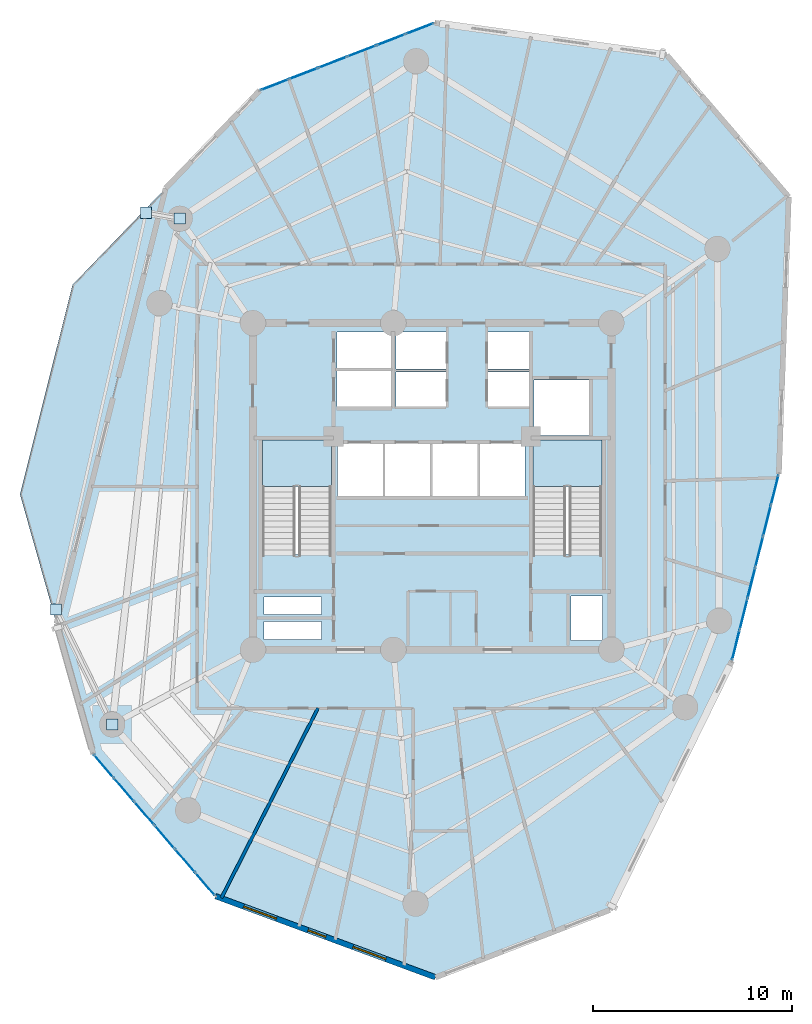
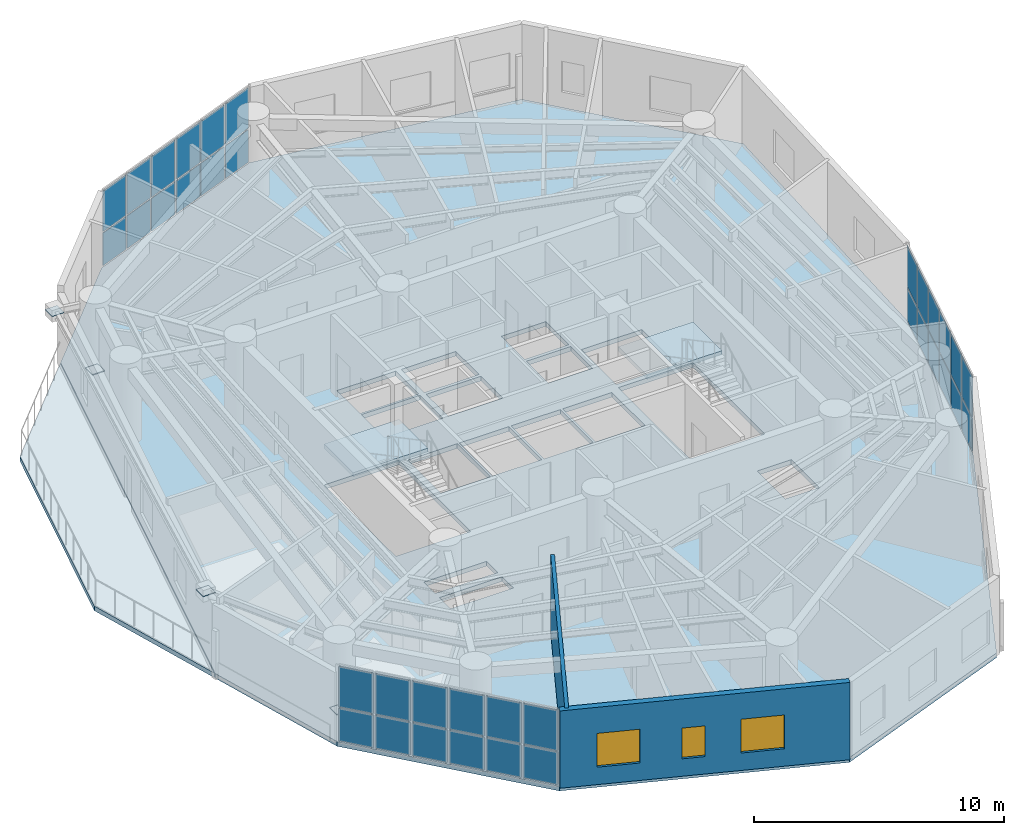
# One storey, part 6 of 14: 40 plates, 4 slabs, 3 windows, 2 walls, 3 openings, 5 elements without a shape of their own.
"""IFC4 building model written with IfcOpenShell, lengths in metres."""

from ifc_helpers import new_model, si_unit, direction, frame, frame_2d, origin, origin_with_axes, origin_2d, place, context, subcontext, project, spatial, polyline, rectangle, outline, extrude, source, transform, mapped, material, layer, layer_set, type_object, element, fill, aggregate, save


model = new_model("IFC4")

# Units and contexts
model_context = context("Model", 3, precision=1e-05, world=origin(), true_north=direction((0.0, 1.0)))
body_context = subcontext(model_context, "Body", "Model", "MODEL_VIEW")
ifc_project = project(units=[si_unit("LENGTHUNIT", "METRE"), si_unit("AREAUNIT", "SQUARE_METRE"), si_unit("VOLUMEUNIT", "CUBIC_METRE"), si_unit("PLANEANGLEUNIT", "RADIAN"), si_unit("MASSUNIT", "GRAM", prefix="KILO")], contexts=[model_context])

# Site, building, storey
site_placement = place(None, origin())
site = spatial("IfcSite", under=ifc_project, at=site_placement, CompositionType="ELEMENT")
building_placement = place(site_placement, origin())
building = spatial("IfcBuilding", under=site, at=building_placement, Name="Karkom Vertical University and Central Library", CompositionType="ELEMENT")
storey_placement = place(building_placement, frame((0.0, 0.0, 152.550048828125)))
storey = spatial("IfcBuildingStorey", under=building, at=storey_placement, Name="L43", CompositionType="ELEMENT", Elevation=152.550048828125)

# Stair, slab
ifc_material_1 = material(Name="Concrete C45/55", Category="concrete")
stair_type = type_object("IfcStairType", Name="INT-STR-ST-MAIN", PredefinedType="HALF_TURN_STAIR", material=ifc_material_1)
stair_1_placement = place(storey_placement, origin())
stair_1 = element("IfcStair", 1, at=stair_1_placement, inside=storey, type_object=stair_type, Name="Level 43 Tower Protected Exit Stair ST-1", PredefinedType="HALF_TURN_STAIR")
ifc_layer_1 = layer(ifc_material_1, 0.199951171875)
ifc_layer_set_1 = layer_set([ifc_layer_1], Name="Concrete C45/55")
slab_type_1 = type_object("IfcSlabType", Name="INT-SLB-LANDING", PredefinedType="LANDING", material=ifc_layer_set_1)
slab_1_placement = place(storey_placement, frame((0.0, 0.0, 1.800048828125)))
slab_1 = element("IfcSlab", 2, at=slab_1_placement, type_object=slab_type_1, Name="ST-1 landing 1", PredefinedType="LANDING", context=body_context, shape_type="SweptSolid", body=[
    extrude(outline(polyline([(23.43994140625, 26.5), (23.43994140625, 28.820068359375), (19.97998046875, 28.820068359375), (19.97998046875, 26.5), (23.43994140625, 26.5)])), origin(), (0.0, 0.0, 1.0), 0.199951171875),
])
aggregate(stair_1, [slab_1])

stair_2_placement = place(storey_placement, origin())
stair_2 = element("IfcStair", 3, at=stair_2_placement, inside=storey, type_object=stair_type, Name="Level 43 Tower Protected Exit Stair ST-2", PredefinedType="HALF_TURN_STAIR")
slab_2_placement = place(storey_placement, frame((0.0, 0.0, 1.800048828125)))
slab_2 = element("IfcSlab", 4, at=slab_2_placement, type_object=slab_type_1, Name="ST-2 landing 1", PredefinedType="LANDING", context=body_context, shape_type="SweptSolid", body=[
    extrude(outline(polyline([(37.02001953125, 26.5), (37.02001953125, 28.820068359375), (33.56005859375, 28.820068359375), (33.56005859375, 26.5), (37.02001953125, 26.5)])), origin(), (0.0, 0.0, 1.0), 0.199951171875),
])
aggregate(stair_2, [slab_2])

# Slabs
ifc_layer_2 = layer(ifc_material_1, 0.22509765625)
ifc_layer_set_2 = layer_set([ifc_layer_2], Name="Concrete C45/55")
slab_type_2 = type_object("IfcSlabType", Name="STR-SLB-FLR-225", PredefinedType="FLOOR", material=ifc_layer_set_2)
slab_3_placement = place(storey_placement, frame((0.0, 0.0, -0.22509765625)))
element("IfcSlab", 5, at=slab_3_placement, inside=storey, type_object=slab_type_2, Name="Level 43 Tower Structural Floor Slab", PredefinedType="FLOOR", context=body_context, shape_type="SweptSolid", body=[
    extrude(outline(polyline([(9.63671875, 19.61767578125), (11.48779296875, 13.060546875), (17.623779296875, 5.9248046875), (28.6611328125, 1.85009765625), (37.419677734375, 5.23828125), (43.548095703125, 17.7392578125), (45.901611328125, 27.121826171875), (46.398193359375, 41.035400390625), (40.275390625, 48.15625), (28.621337890625, 49.772705078125), (19.843994140625, 46.377197265625), (15.117431640625, 41.469970703125), (9.63671875, 19.61767578125)]), holes=[polyline([(19.97998046875, 23.0849609375), (23.43994140625, 23.0849609375), (23.43994140625, 28.820068359375), (19.97998046875, 28.820068359375), (19.97998046875, 23.0849609375)]), polyline([(33.56005859375, 23.0849609375), (37.02001953125, 23.0849609375), (37.02001953125, 28.820068359375), (33.56005859375, 28.820068359375), (33.56005859375, 23.0849609375)]), polyline([(23.75, 26.0), (26.030029296875, 26.0), (26.030029296875, 28.64990234375), (23.75, 28.64990234375), (23.75, 26.0)]), polyline([(26.1298828125, 26.0), (28.409912109375, 26.0), (28.409912109375, 28.64990234375), (26.1298828125, 28.64990234375), (26.1298828125, 26.0)]), polyline([(28.510009765625, 26.0), (30.7900390625, 26.0), (30.7900390625, 28.64990234375), (28.510009765625, 28.64990234375), (28.510009765625, 26.0)]), polyline([(30.889892578125, 26.0), (33.169921875, 26.0), (33.169921875, 28.64990234375), (30.889892578125, 28.64990234375), (30.889892578125, 26.0)]), polyline([(26.679931640625, 30.5), (29.199951171875, 30.5), (29.199951171875, 32.25), (26.679931640625, 32.25), (26.679931640625, 30.5)]), polyline([(26.679931640625, 32.39990234375), (29.199951171875, 32.39990234375), (29.199951171875, 34.25), (26.679931640625, 34.25), (26.679931640625, 32.39990234375)]), polyline([(31.300048828125, 30.5), (33.35009765625, 30.5), (33.35009765625, 32.25), (31.300048828125, 32.25), (31.300048828125, 30.5)]), polyline([(31.300048828125, 32.39990234375), (33.35009765625, 32.39990234375), (33.35009765625, 34.25), (31.300048828125, 34.25), (31.300048828125, 32.39990234375)]), polyline([(23.719970703125, 30.47998046875), (26.429931640625, 30.47998046875), (26.429931640625, 32.320068359375), (23.719970703125, 32.320068359375), (23.719970703125, 30.47998046875)]), polyline([(23.719970703125, 32.419921875), (26.429931640625, 32.419921875), (26.429931640625, 34.260009765625), (23.719970703125, 34.260009765625), (23.719970703125, 32.419921875)]), polyline([(33.60009765625, 29.050048828125), (36.39990234375, 29.050048828125), (36.39990234375, 31.85009765625), (33.60009765625, 31.85009765625), (33.60009765625, 29.050048828125)]), polyline([(20.050048828125, 18.820068359375), (22.949951171875, 18.820068359375), (22.949951171875, 19.719970703125), (20.050048828125, 19.719970703125), (20.050048828125, 18.820068359375)]), polyline([(20.050048828125, 20.06005859375), (22.949951171875, 20.06005859375), (22.949951171875, 20.9599609375), (20.050048828125, 20.9599609375), (20.050048828125, 20.06005859375)]), polyline([(35.4599609375, 18.760009765625), (37.0400390625, 18.760009765625), (37.0400390625, 21.010009765625), (35.4599609375, 21.010009765625), (35.4599609375, 18.760009765625)])]), origin(), (0.0, 0.0, 1.0), 0.22509765625),
])
ifc_layer_3 = layer(ifc_material_1, 0.199951171875)
ifc_layer_set_3 = layer_set([ifc_layer_3], Name="Concrete C45/55")
slab_type_3 = type_object("IfcSlabType", Name="STR-SLB-PLN-260", PredefinedType="USERDEFINED", material=ifc_layer_set_3)
slab_4_placement = place(storey_placement, frame((0.0, 0.0, -0.22509765625)))
element("IfcSlab", 6, at=slab_4_placement, inside=storey, type_object=slab_type_3, Name="Level 43 Spiral Sky Garden Planter Terrace", ObjectType="PLANTER", PredefinedType="USERDEFINED", context=body_context, shape_type="SweptSolid", body=[
    extrude(outline(polyline([(7.804931640625, 26.105712890625), (10.440673828125, 36.614501953125), (15.089599609375, 41.44091796875), (9.625732421875, 19.656494140625), (7.804931640625, 26.105712890625)])), origin(), (0.0, 0.0, 1.0), 0.22509765625),
])

# Plates
ifc_material_2 = material(Name="Steel S355", Category="steel")
ifc_layer_4 = layer(ifc_material_2, 0.028076171875)
ifc_layer_set_4 = layer_set([ifc_layer_4], Name="Steel S355")
plate_type_1 = type_object("IfcPlateType", Name="STR-PLT-GP-2", PredefinedType="USERDEFINED", material=ifc_layer_set_4)
shared_shape_1 = source(origin_with_axes(), body_context, "Body", "SweptSolid", [
    extrude(rectangle(XDim=0.56005859375, YDim=0.56005859375, at=origin_2d()), origin(), (0.0, 0.0, 1.0), 0.028076171875),
])
for number, where, z_axis, x_axis, name in (
    (7, (15.8291015625, 39.943115234375, 0.3359375), (0.0, 0.0, 1.0), (1.0, 0.0, 0.0), "Level 43 Node Gusset Cap Plate L43-SKG-KNEE-1 A"),
    (8, (14.134765625, 40.239501953125, 3.595703125), (0.0, 0.0, 1.0), (1.0, 0.0, 0.0), "Level 43 Node Gusset Cap Plate L43-SKG-KNEE-1 B"),
    (9, (12.43603515625, 14.5439453125, 0.3359375), (0.0, 0.0, 1.0), (1.0, 0.0, 0.0), "Level 43 Node Gusset Cap Plate L43-SKG-KNEE-2 A"),
    (10, (9.6083984375, 20.31640625, 3.595703125), (0.0, 0.0, 1.0), (1.0, 0.0, 0.0), "Level 43 Node Gusset Cap Plate L43-SKG-KNEE-2 B"),
):
    element("IfcPlate", number, at=place(storey_placement, frame(where, z_axis=z_axis, x_axis=x_axis)), inside=storey, type_object=plate_type_1, Name=name, ObjectType="GUSSET PLATE", PredefinedType="USERDEFINED", context=body_context, shape_type="MappedRepresentation", body=[
        mapped(shared_shape_1, transform((0.0, 0.0, 0.0), scale=1.0)),
    ])

# Curtain wall, plates
ifc_material_3 = material(Name="Aluminium curtain-wall framing and low-E IGU", Category="aluminium")
ifc_layer_5 = layer(ifc_material_3, 0.199951171875)
ifc_layer_set_5 = layer_set([ifc_layer_5], Name="Aluminium curtain-wall framing and low-E IGU")
curtain_wall_type = type_object("IfcCurtainWallType", Name="ENV-CW-5", PredefinedType="USERDEFINED", material=ifc_layer_set_5)
curtain_wall_1_placement = place(storey_placement, origin())
curtain_wall_1 = element("IfcCurtainWall", 11, at=curtain_wall_1_placement, inside=storey, type_object=curtain_wall_type, Name="Level 43 CW-5 Curtain Wall L43-CW5-02", ObjectType="UNITISED GLAZING", PredefinedType="USERDEFINED")
ifc_material_4 = material(Name="Solar-control low-E double glazing 36mm", Category="glass")
ifc_layer_6 = layer(ifc_material_4, 0.035888671875)
ifc_layer_set_6 = layer_set([ifc_layer_6], Name="Solar-control low-E double glazing 36mm")
plate_type_2 = type_object("IfcPlateType", Name="ENV-PLT-GLZ-36", PredefinedType="CURTAIN_PANEL", material=ifc_layer_set_6)
shared_shape_2 = source(origin_with_axes(), body_context, "Body", "SweptSolid", [
    extrude(rectangle(XDim=1.463623046875, YDim=0.035888671875, at=origin_2d()), origin(), (0.0, 0.0, 1.0), 1.59375),
])
plate_1_placement = place(storey_placement, frame((12.0107421875, 12.45263671875, 0.070068359375), z_axis=(0.0, 0.0, 1.0), x_axis=(0.651973664887, -0.758241610764, 0.0)))
plate_1 = element("IfcPlate", 12, at=plate_1_placement, type_object=plate_type_2, Name="CW-5 panel 1.1", PredefinedType="CURTAIN_PANEL", context=body_context, shape_type="MappedRepresentation", body=[
    mapped(shared_shape_2, transform((0.0, 0.0, 0.0), scale=1.0)),
])
plate_2_placement = place(storey_placement, frame((17.10107421875, 6.53271484375, 0.070068359375), z_axis=(0.0, 0.0, 1.0), x_axis=(0.651973664887, -0.758241610764, 0.0)))
plate_2 = element("IfcPlate", 13, at=plate_2_placement, type_object=plate_type_2, Name="CW-5 panel 6.1", PredefinedType="CURTAIN_PANEL", context=body_context, shape_type="MappedRepresentation", body=[
    mapped(shared_shape_2, transform((0.0, 0.0, 0.0), scale=1.0)),
])

curtain_wall_2_placement = place(storey_placement, origin())
curtain_wall_2 = element("IfcCurtainWall", 14, at=curtain_wall_2_placement, inside=storey, type_object=curtain_wall_type, Name="Level 43 CW-5 Curtain Wall L43-CW5-10", ObjectType="UNITISED GLAZING", PredefinedType="USERDEFINED")
plate_3_placement = place(storey_placement, frame((27.87353515625, 49.483642578125, 0.070068359375), z_axis=(0.0, 0.0, 1.0), x_axis=(-0.932644121475, -0.360797647829, 0.0)))
plate_3 = element("IfcPlate", 15, at=plate_3_placement, type_object=plate_type_2, Name="CW-5 panel 1.1", PredefinedType="CURTAIN_PANEL", context=body_context, shape_type="MappedRepresentation", body=[
    mapped(shared_shape_2, transform((0.0, 0.0, 0.0), scale=1.0)),
])
plate_4_placement = place(storey_placement, frame((20.591796875, 46.66650390625, 0.070068359375), z_axis=(0.0, 0.0, 1.0), x_axis=(-0.932644121475, -0.360797647829, 0.0)))
plate_4 = element("IfcPlate", 16, at=plate_4_placement, type_object=plate_type_2, Name="CW-5 panel 6.1", PredefinedType="CURTAIN_PANEL", context=body_context, shape_type="MappedRepresentation", body=[
    mapped(shared_shape_2, transform((0.0, 0.0, 0.0), scale=1.0)),
])

# Plate
shared_shape_3 = source(origin_with_axes(), body_context, "Body", "SweptSolid", [
    extrude(rectangle(XDim=1.463623046875, YDim=0.035888671875, at=origin_2d()), origin(), (0.0, 0.0, 1.0), 1.97119140625),
])
plate_5_placement = place(storey_placement, frame((12.0107421875, 12.45263671875, 1.733642578125), z_axis=(0.0, 0.0, 1.0), x_axis=(0.651973664887, -0.758241610764, 0.0)))
plate_5 = element("IfcPlate", 17, at=plate_5_placement, type_object=plate_type_2, Name="CW-5 panel 1.2", PredefinedType="CURTAIN_PANEL", context=body_context, shape_type="MappedRepresentation", body=[
    mapped(shared_shape_3, transform((0.0, 0.0, 0.0), scale=1.0)),
])

plate_6_placement = place(storey_placement, frame((17.10107421875, 6.53271484375, 1.733642578125), z_axis=(0.0, 0.0, 1.0), x_axis=(0.651973664887, -0.758241610764, 0.0)))
plate_6 = element("IfcPlate", 18, at=plate_6_placement, type_object=plate_type_2, Name="CW-5 panel 6.2", PredefinedType="CURTAIN_PANEL", context=body_context, shape_type="MappedRepresentation", body=[
    mapped(shared_shape_3, transform((0.0, 0.0, 0.0), scale=1.0)),
])

plate_7_placement = place(storey_placement, frame((27.87353515625, 49.483642578125, 1.733642578125), z_axis=(0.0, 0.0, 1.0), x_axis=(-0.932644121475, -0.360797647829, 0.0)))
plate_7 = element("IfcPlate", 19, at=plate_7_placement, type_object=plate_type_2, Name="CW-5 panel 1.2", PredefinedType="CURTAIN_PANEL", context=body_context, shape_type="MappedRepresentation", body=[
    mapped(shared_shape_3, transform((0.0, 0.0, 0.0), scale=1.0)),
])

plate_8_placement = place(storey_placement, frame((20.591796875, 46.66650390625, 1.733642578125), z_axis=(0.0, 0.0, 1.0), x_axis=(-0.932644121475, -0.360797647829, 0.0)))
plate_8 = element("IfcPlate", 20, at=plate_8_placement, type_object=plate_type_2, Name="CW-5 panel 6.2", PredefinedType="CURTAIN_PANEL", context=body_context, shape_type="MappedRepresentation", body=[
    mapped(shared_shape_3, transform((0.0, 0.0, 0.0), scale=1.0)),
])

shared_shape_4 = source(origin_with_axes(), body_context, "Body", "SweptSolid", [
    extrude(rectangle(XDim=1.49853515625, YDim=0.035888671875, at=origin_2d()), origin(), (0.0, 0.0, 1.0), 1.59375),
])
plate_9_placement = place(storey_placement, frame((13.021728515625, 11.276611328125, 0.070068359375), z_axis=(0.0, 0.0, 1.0), x_axis=(0.651973664887, -0.758241610764, 0.0)))
plate_9 = element("IfcPlate", 21, at=plate_9_placement, type_object=plate_type_2, Name="CW-5 panel 2.1", PredefinedType="CURTAIN_PANEL", context=body_context, shape_type="MappedRepresentation", body=[
    mapped(shared_shape_4, transform((0.0, 0.0, 0.0), scale=1.0)),
])

plate_10_placement = place(storey_placement, frame((14.04443359375, 10.08740234375, 0.070068359375), z_axis=(0.0, 0.0, 1.0), x_axis=(0.651973664887, -0.758241610764, 0.0)))
plate_10 = element("IfcPlate", 22, at=plate_10_placement, type_object=plate_type_2, Name="CW-5 panel 3.1", PredefinedType="CURTAIN_PANEL", context=body_context, shape_type="MappedRepresentation", body=[
    mapped(shared_shape_4, transform((0.0, 0.0, 0.0), scale=1.0)),
])

plate_11_placement = place(storey_placement, frame((15.067138671875, 8.89794921875, 0.070068359375), z_axis=(0.0, 0.0, 1.0), x_axis=(0.651973664887, -0.758241610764, 0.0)))
plate_11 = element("IfcPlate", 23, at=plate_11_placement, type_object=plate_type_2, Name="CW-5 panel 4.1", PredefinedType="CURTAIN_PANEL", context=body_context, shape_type="MappedRepresentation", body=[
    mapped(shared_shape_4, transform((0.0, 0.0, 0.0), scale=1.0)),
])

plate_12_placement = place(storey_placement, frame((16.08984375, 7.708740234375, 0.070068359375), z_axis=(0.0, 0.0, 1.0), x_axis=(0.651973664887, -0.758241610764, 0.0)))
plate_12 = element("IfcPlate", 24, at=plate_12_placement, type_object=plate_type_2, Name="CW-5 panel 5.1", PredefinedType="CURTAIN_PANEL", context=body_context, shape_type="MappedRepresentation", body=[
    mapped(shared_shape_4, transform((0.0, 0.0, 0.0), scale=1.0)),
])

plate_13_placement = place(storey_placement, frame((26.427001953125, 48.923828125, 0.070068359375), z_axis=(0.0, 0.0, 1.0), x_axis=(-0.932644121475, -0.360797647829, 0.0)))
plate_13 = element("IfcPlate", 25, at=plate_13_placement, type_object=plate_type_2, Name="CW-5 panel 2.1", PredefinedType="CURTAIN_PANEL", context=body_context, shape_type="MappedRepresentation", body=[
    mapped(shared_shape_4, transform((0.0, 0.0, 0.0), scale=1.0)),
])

plate_14_placement = place(storey_placement, frame((24.964111328125, 48.35791015625, 0.070068359375), z_axis=(0.0, 0.0, 1.0), x_axis=(-0.932644121475, -0.360797647829, 0.0)))
plate_14 = element("IfcPlate", 26, at=plate_14_placement, type_object=plate_type_2, Name="CW-5 panel 3.1", PredefinedType="CURTAIN_PANEL", context=body_context, shape_type="MappedRepresentation", body=[
    mapped(shared_shape_4, transform((0.0, 0.0, 0.0), scale=1.0)),
])

plate_15_placement = place(storey_placement, frame((23.501220703125, 47.7919921875, 0.070068359375), z_axis=(0.0, 0.0, 1.0), x_axis=(-0.932644121475, -0.360797647829, 0.0)))
plate_15 = element("IfcPlate", 27, at=plate_15_placement, type_object=plate_type_2, Name="CW-5 panel 4.1", PredefinedType="CURTAIN_PANEL", context=body_context, shape_type="MappedRepresentation", body=[
    mapped(shared_shape_4, transform((0.0, 0.0, 0.0), scale=1.0)),
])

plate_16_placement = place(storey_placement, frame((22.038330078125, 47.22607421875, 0.070068359375), z_axis=(0.0, 0.0, 1.0), x_axis=(-0.932644121475, -0.360797647829, 0.0)))
plate_16 = element("IfcPlate", 28, at=plate_16_placement, type_object=plate_type_2, Name="CW-5 panel 5.1", PredefinedType="CURTAIN_PANEL", context=body_context, shape_type="MappedRepresentation", body=[
    mapped(shared_shape_4, transform((0.0, 0.0, 0.0), scale=1.0)),
])

shared_shape_5 = source(origin_with_axes(), body_context, "Body", "SweptSolid", [
    extrude(rectangle(XDim=1.49853515625, YDim=0.035888671875, at=origin_2d()), origin(), (0.0, 0.0, 1.0), 1.97119140625),
])
plate_17_placement = place(storey_placement, frame((13.021728515625, 11.276611328125, 1.733642578125), z_axis=(0.0, 0.0, 1.0), x_axis=(0.651973664887, -0.758241610764, 0.0)))
plate_17 = element("IfcPlate", 29, at=plate_17_placement, type_object=plate_type_2, Name="CW-5 panel 2.2", PredefinedType="CURTAIN_PANEL", context=body_context, shape_type="MappedRepresentation", body=[
    mapped(shared_shape_5, transform((0.0, 0.0, 0.0), scale=1.0)),
])

plate_18_placement = place(storey_placement, frame((14.04443359375, 10.08740234375, 1.733642578125), z_axis=(0.0, 0.0, 1.0), x_axis=(0.651973664887, -0.758241610764, 0.0)))
plate_18 = element("IfcPlate", 30, at=plate_18_placement, type_object=plate_type_2, Name="CW-5 panel 3.2", PredefinedType="CURTAIN_PANEL", context=body_context, shape_type="MappedRepresentation", body=[
    mapped(shared_shape_5, transform((0.0, 0.0, 0.0), scale=1.0)),
])

plate_19_placement = place(storey_placement, frame((15.067138671875, 8.89794921875, 1.733642578125), z_axis=(0.0, 0.0, 1.0), x_axis=(0.651973664887, -0.758241610764, 0.0)))
plate_19 = element("IfcPlate", 31, at=plate_19_placement, type_object=plate_type_2, Name="CW-5 panel 4.2", PredefinedType="CURTAIN_PANEL", context=body_context, shape_type="MappedRepresentation", body=[
    mapped(shared_shape_5, transform((0.0, 0.0, 0.0), scale=1.0)),
])

plate_20_placement = place(storey_placement, frame((16.08984375, 7.708740234375, 1.733642578125), z_axis=(0.0, 0.0, 1.0), x_axis=(0.651973664887, -0.758241610764, 0.0)))
plate_20 = element("IfcPlate", 32, at=plate_20_placement, type_object=plate_type_2, Name="CW-5 panel 5.2", PredefinedType="CURTAIN_PANEL", context=body_context, shape_type="MappedRepresentation", body=[
    mapped(shared_shape_5, transform((0.0, 0.0, 0.0), scale=1.0)),
])

aggregate(curtain_wall_1, [plate_1, plate_5, plate_9, plate_17, plate_10, plate_18, plate_11, plate_19, plate_12, plate_20, plate_2, plate_6])

plate_21_placement = place(storey_placement, frame((26.427001953125, 48.923828125, 1.733642578125), z_axis=(0.0, 0.0, 1.0), x_axis=(-0.932644121475, -0.360797647829, 0.0)))
plate_21 = element("IfcPlate", 33, at=plate_21_placement, type_object=plate_type_2, Name="CW-5 panel 2.2", PredefinedType="CURTAIN_PANEL", context=body_context, shape_type="MappedRepresentation", body=[
    mapped(shared_shape_5, transform((0.0, 0.0, 0.0), scale=1.0)),
])

plate_22_placement = place(storey_placement, frame((24.964111328125, 48.35791015625, 1.733642578125), z_axis=(0.0, 0.0, 1.0), x_axis=(-0.932644121475, -0.360797647829, 0.0)))
plate_22 = element("IfcPlate", 34, at=plate_22_placement, type_object=plate_type_2, Name="CW-5 panel 3.2", PredefinedType="CURTAIN_PANEL", context=body_context, shape_type="MappedRepresentation", body=[
    mapped(shared_shape_5, transform((0.0, 0.0, 0.0), scale=1.0)),
])

plate_23_placement = place(storey_placement, frame((23.501220703125, 47.7919921875, 1.733642578125), z_axis=(0.0, 0.0, 1.0), x_axis=(-0.932644121475, -0.360797647829, 0.0)))
plate_23 = element("IfcPlate", 35, at=plate_23_placement, type_object=plate_type_2, Name="CW-5 panel 4.2", PredefinedType="CURTAIN_PANEL", context=body_context, shape_type="MappedRepresentation", body=[
    mapped(shared_shape_5, transform((0.0, 0.0, 0.0), scale=1.0)),
])

plate_24_placement = place(storey_placement, frame((22.038330078125, 47.22607421875, 1.733642578125), z_axis=(0.0, 0.0, 1.0), x_axis=(-0.932644121475, -0.360797647829, 0.0)))
plate_24 = element("IfcPlate", 36, at=plate_24_placement, type_object=plate_type_2, Name="CW-5 panel 5.2", PredefinedType="CURTAIN_PANEL", context=body_context, shape_type="MappedRepresentation", body=[
    mapped(shared_shape_5, transform((0.0, 0.0, 0.0), scale=1.0)),
])

aggregate(curtain_wall_2, [plate_3, plate_7, plate_13, plate_21, plate_14, plate_22, plate_15, plate_23, plate_16, plate_24, plate_4, plate_8])

# Curtain wall, plates
curtain_wall_3_placement = place(storey_placement, origin())
curtain_wall_3 = element("IfcCurtainWall", 37, at=curtain_wall_3_placement, inside=storey, type_object=curtain_wall_type, Name="Level 43 CW-5 Curtain Wall L43-CW5-06", ObjectType="UNITISED GLAZING", PredefinedType="USERDEFINED")
shared_shape_6 = source(origin_with_axes(), body_context, "Body", "SweptSolid", [
    extrude(rectangle(XDim=1.50732421875, YDim=0.035888671875, at=origin_2d()), origin(), (0.0, 0.0, 1.0), 1.59375),
])
plate_25_placement = place(storey_placement, frame((43.74853515625, 18.5380859375, 0.070068359375), z_axis=(0.0, 0.0, 1.0), x_axis=(0.243279876572, 0.969956133882, 0.0)))
plate_25 = element("IfcPlate", 38, at=plate_25_placement, type_object=plate_type_2, Name="CW-5 panel 1.1", PredefinedType="CURTAIN_PANEL", context=body_context, shape_type="MappedRepresentation", body=[
    mapped(shared_shape_6, transform((0.0, 0.0, 0.0), scale=1.0)),
])
plate_26_placement = place(storey_placement, frame((45.701171875, 26.322998046875, 0.070068359375), z_axis=(0.0, 0.0, 1.0), x_axis=(0.243279876572, 0.969956133882, 0.0)))
plate_26 = element("IfcPlate", 39, at=plate_26_placement, type_object=plate_type_2, Name="CW-5 panel 6.1", PredefinedType="CURTAIN_PANEL", context=body_context, shape_type="MappedRepresentation", body=[
    mapped(shared_shape_6, transform((0.0, 0.0, 0.0), scale=1.0)),
])
shared_shape_7 = source(origin_with_axes(), body_context, "Body", "SweptSolid", [
    extrude(rectangle(XDim=1.50732421875, YDim=0.035888671875, at=origin_2d()), origin(), (0.0, 0.0, 1.0), 1.97119140625),
])
plate_27_placement = place(storey_placement, frame((43.74853515625, 18.5380859375, 1.733642578125), z_axis=(0.0, 0.0, 1.0), x_axis=(0.243279876572, 0.969956133882, 0.0)))
plate_27 = element("IfcPlate", 40, at=plate_27_placement, type_object=plate_type_2, Name="CW-5 panel 1.2", PredefinedType="CURTAIN_PANEL", context=body_context, shape_type="MappedRepresentation", body=[
    mapped(shared_shape_7, transform((0.0, 0.0, 0.0), scale=1.0)),
])
plate_28_placement = place(storey_placement, frame((45.701171875, 26.322998046875, 1.733642578125), z_axis=(0.0, 0.0, 1.0), x_axis=(0.243279876572, 0.969956133882, 0.0)))
plate_28 = element("IfcPlate", 41, at=plate_28_placement, type_object=plate_type_2, Name="CW-5 panel 6.2", PredefinedType="CURTAIN_PANEL", context=body_context, shape_type="MappedRepresentation", body=[
    mapped(shared_shape_7, transform((0.0, 0.0, 0.0), scale=1.0)),
])
shared_shape_8 = source(origin_with_axes(), body_context, "Body", "SweptSolid", [
    extrude(rectangle(XDim=1.542236328125, YDim=0.035888671875, at=origin_2d()), origin(), (0.0, 0.0, 1.0), 1.59375),
])
plate_29_placement = place(storey_placement, frame((44.136474609375, 20.0849609375, 0.070068359375), z_axis=(0.0, 0.0, 1.0), x_axis=(0.243279876572, 0.969956133882, 0.0)))
plate_29 = element("IfcPlate", 42, at=plate_29_placement, type_object=plate_type_2, Name="CW-5 panel 2.1", PredefinedType="CURTAIN_PANEL", context=body_context, shape_type="MappedRepresentation", body=[
    mapped(shared_shape_8, transform((0.0, 0.0, 0.0), scale=1.0)),
])
plate_30_placement = place(storey_placement, frame((44.52880859375, 21.648681640625, 0.070068359375), z_axis=(0.0, 0.0, 1.0), x_axis=(0.243279876572, 0.969956133882, 0.0)))
plate_30 = element("IfcPlate", 43, at=plate_30_placement, type_object=plate_type_2, Name="CW-5 panel 3.1", PredefinedType="CURTAIN_PANEL", context=body_context, shape_type="MappedRepresentation", body=[
    mapped(shared_shape_8, transform((0.0, 0.0, 0.0), scale=1.0)),
])
plate_31_placement = place(storey_placement, frame((44.9208984375, 23.21240234375, 0.070068359375), z_axis=(0.0, 0.0, 1.0), x_axis=(0.243279876572, 0.969956133882, 0.0)))
plate_31 = element("IfcPlate", 44, at=plate_31_placement, type_object=plate_type_2, Name="CW-5 panel 4.1", PredefinedType="CURTAIN_PANEL", context=body_context, shape_type="MappedRepresentation", body=[
    mapped(shared_shape_8, transform((0.0, 0.0, 0.0), scale=1.0)),
])
plate_32_placement = place(storey_placement, frame((45.313232421875, 24.7763671875, 0.070068359375), z_axis=(0.0, 0.0, 1.0), x_axis=(0.243279876572, 0.969956133882, 0.0)))
plate_32 = element("IfcPlate", 45, at=plate_32_placement, type_object=plate_type_2, Name="CW-5 panel 5.1", PredefinedType="CURTAIN_PANEL", context=body_context, shape_type="MappedRepresentation", body=[
    mapped(shared_shape_8, transform((0.0, 0.0, 0.0), scale=1.0)),
])
shared_shape_9 = source(origin_with_axes(), body_context, "Body", "SweptSolid", [
    extrude(rectangle(XDim=1.542236328125, YDim=0.035888671875, at=origin_2d()), origin(), (0.0, 0.0, 1.0), 1.97119140625),
])
plate_33_placement = place(storey_placement, frame((44.136474609375, 20.0849609375, 1.733642578125), z_axis=(0.0, 0.0, 1.0), x_axis=(0.243279876572, 0.969956133882, 0.0)))
plate_33 = element("IfcPlate", 46, at=plate_33_placement, type_object=plate_type_2, Name="CW-5 panel 2.2", PredefinedType="CURTAIN_PANEL", context=body_context, shape_type="MappedRepresentation", body=[
    mapped(shared_shape_9, transform((0.0, 0.0, 0.0), scale=1.0)),
])
plate_34_placement = place(storey_placement, frame((44.52880859375, 21.648681640625, 1.733642578125), z_axis=(0.0, 0.0, 1.0), x_axis=(0.243279876572, 0.969956133882, 0.0)))
plate_34 = element("IfcPlate", 47, at=plate_34_placement, type_object=plate_type_2, Name="CW-5 panel 3.2", PredefinedType="CURTAIN_PANEL", context=body_context, shape_type="MappedRepresentation", body=[
    mapped(shared_shape_9, transform((0.0, 0.0, 0.0), scale=1.0)),
])
plate_35_placement = place(storey_placement, frame((44.9208984375, 23.21240234375, 1.733642578125), z_axis=(0.0, 0.0, 1.0), x_axis=(0.243279876572, 0.969956133882, 0.0)))
plate_35 = element("IfcPlate", 48, at=plate_35_placement, type_object=plate_type_2, Name="CW-5 panel 4.2", PredefinedType="CURTAIN_PANEL", context=body_context, shape_type="MappedRepresentation", body=[
    mapped(shared_shape_9, transform((0.0, 0.0, 0.0), scale=1.0)),
])
plate_36_placement = place(storey_placement, frame((45.313232421875, 24.7763671875, 1.733642578125), z_axis=(0.0, 0.0, 1.0), x_axis=(0.243279876572, 0.969956133882, 0.0)))
plate_36 = element("IfcPlate", 49, at=plate_36_placement, type_object=plate_type_2, Name="CW-5 panel 5.2", PredefinedType="CURTAIN_PANEL", context=body_context, shape_type="MappedRepresentation", body=[
    mapped(shared_shape_9, transform((0.0, 0.0, 0.0), scale=1.0)),
])
aggregate(curtain_wall_3, [plate_25, plate_27, plate_29, plate_33, plate_30, plate_34, plate_31, plate_35, plate_32, plate_36, plate_26, plate_28])

# Wall, openings, windows
ifc_material_5 = material(Name="Brick-faced precast concrete C45/55", Category="masonry")
ifc_layer_7 = layer(ifc_material_5, 0.280029296875)
ifc_layer_set_7 = layer_set([ifc_layer_7], Name="Brick-faced precast concrete C45/55")
wall_type_1 = type_object("IfcWallType", Name="ENV-WL-BRK-280", PredefinedType="SOLIDWALL", material=ifc_layer_set_7)
wall_1_placement = place(storey_placement, frame((17.623779296875, 5.9248046875, 0.0), z_axis=(0.0, 0.0, 1.0), x_axis=(0.938113692387, -0.346327446436, 0.0)))
wall_1 = element("IfcWall", 50, at=wall_1_placement, inside=storey, type_object=wall_type_1, Name="Level 43 Brick-Faced Precast Facade Wall 03", PredefinedType="SOLIDWALL", context=body_context, shape_type="SweptSolid", body=[
    extrude(rectangle(XDim=11.765380859375, YDim=0.280029296875, at=frame_2d((5.8828125, 0.0))), origin(), (0.0, 0.0, 1.0), 3.77490234375),
])
opening_1_placement = place(wall_1_placement, frame((1.50390625, 0.0, 0.85009765625)))
opening_1 = element("IfcOpeningElement", 51, at=opening_1_placement, cuts=wall_1, Name="Opening WN-08", PredefinedType="OPENING", context=body_context, shape_type="SweptSolid", body=[
    extrude(rectangle(XDim=1.75, YDim=1.64990234375, at=frame_2d((0.875, 0.824951171875))), frame((0.0, 0.14990234375, 0.0), z_axis=(0.0, -1.0, 0.0), x_axis=(1.0, 0.0, 0.0)), (0.0, 0.0, 1.0), 0.300048828125),
])
opening_2_placement = place(wall_1_placement, frame((4.944091796875, 0.0, 0.85009765625)))
opening_2 = element("IfcOpeningElement", 52, at=opening_2_placement, cuts=wall_1, Name="Opening WN-12", PredefinedType="OPENING", context=body_context, shape_type="SweptSolid", body=[
    extrude(rectangle(XDim=0.949951171875, YDim=1.5, at=frame_2d((0.47509765625, 0.75))), frame((0.0, 0.14990234375, 0.0), z_axis=(0.0, -1.0, 0.0), x_axis=(1.0, 0.0, 0.0)), (0.0, 0.0, 1.0), 0.300048828125),
])
opening_3_placement = place(wall_1_placement, frame((7.355712890625, 0.0, 0.85009765625)))
opening_3 = element("IfcOpeningElement", 53, at=opening_3_placement, cuts=wall_1, Name="Opening WN-08", PredefinedType="OPENING", context=body_context, shape_type="SweptSolid", body=[
    extrude(rectangle(XDim=1.75, YDim=1.64990234375, at=frame_2d((0.875, 0.824951171875))), frame((0.0, 0.14990234375, 0.0), z_axis=(0.0, -1.0, 0.0), x_axis=(1.0, 0.0, 0.0)), (0.0, 0.0, 1.0), 0.300048828125),
])
ifc_material_6 = material(Name="Aluminium thermal-break frame with solar-control IGU", Category="aluminium")
window_type_1 = type_object("IfcWindowType", Name="ENV-WIN-WN-12", PartitioningType="SINGLE_PANEL", PredefinedType="WINDOW", material=ifc_material_6)
shared_shape_10 = source(origin_with_axes(), body_context, "Body", "SweptSolid", [
    extrude(rectangle(XDim=0.949951171875, YDim=1.5, at=frame_2d((0.47509765625, 0.75))), frame((0.0, 0.030029296875, 0.0), z_axis=(0.0, -1.0, 0.0), x_axis=(1.0, 0.0, 0.0)), (0.0, 0.0, 1.0), 0.06005859375),
])
window_1_placement = place(opening_2_placement, origin())
window_1 = element("IfcWindow", 54, at=window_1_placement, inside=storey, type_object=window_type_1, Name="Level 43 Punched Window 3.2", OverallHeight=1.5, OverallWidth=0.949951171875, PartitioningType="SINGLE_PANEL", PredefinedType="WINDOW", context=body_context, shape_type="MappedRepresentation", body=[
    mapped(shared_shape_10, transform((0.0, 0.0, 0.0), scale=1.0)),
])
fill(opening_2, window_1)
window_type_2 = type_object("IfcWindowType", Name="ENV-WIN-WN-08", PartitioningType="SINGLE_PANEL", PredefinedType="WINDOW", material=ifc_material_6)
shared_shape_11 = source(origin_with_axes(), body_context, "Body", "SweptSolid", [
    extrude(rectangle(XDim=1.75, YDim=1.64990234375, at=frame_2d((0.875, 0.824951171875))), frame((0.0, 0.030029296875, 0.0), z_axis=(0.0, -1.0, 0.0), x_axis=(1.0, 0.0, 0.0)), (0.0, 0.0, 1.0), 0.06005859375),
])
window_2_placement = place(opening_1_placement, origin())
window_2 = element("IfcWindow", 55, at=window_2_placement, inside=storey, type_object=window_type_2, Name="Level 43 Punched Window 3.1", OverallHeight=1.64990234375, OverallWidth=1.75, PartitioningType="SINGLE_PANEL", PredefinedType="WINDOW", context=body_context, shape_type="MappedRepresentation", body=[
    mapped(shared_shape_11, transform((0.0, 0.0, 0.0), scale=1.0)),
])
fill(opening_1, window_2)
window_3_placement = place(opening_3_placement, origin())
window_3 = element("IfcWindow", 56, at=window_3_placement, inside=storey, type_object=window_type_2, Name="Level 43 Punched Window 3.3", OverallHeight=1.64990234375, OverallWidth=1.75, PartitioningType="SINGLE_PANEL", PredefinedType="WINDOW", context=body_context, shape_type="MappedRepresentation", body=[
    mapped(shared_shape_11, transform((0.0, 0.0, 0.0), scale=1.0)),
])
fill(opening_3, window_3)

# Wall
ifc_material_7 = material(Name="Insulated metal-stud drywall 160mm", Category="gypsum")
ifc_layer_8 = layer(ifc_material_7, 0.159912109375)
ifc_layer_set_8 = layer_set([ifc_layer_8], Name="Insulated metal-stud drywall 160mm")
wall_type_2 = type_object("IfcWallType", Name="INT-WL-COR-160", PredefinedType="PARTITIONING", material=ifc_layer_set_8)
wall_2_placement = place(storey_placement, frame((22.770751953125, 15.376708984375, 0.0), z_axis=(0.0, 0.0, 1.0), x_axis=(-0.453637892893, -0.891186098484, 0.0)))
element("IfcWall", 57, at=wall_2_placement, inside=storey, type_object=wall_type_2, Name="Level 43 Interior Partition Wall L43-PW-005", PredefinedType="PARTITIONING", context=body_context, shape_type="SweptSolid", body=[
    extrude(rectangle(XDim=10.697509765625, YDim=0.159912109375, at=frame_2d((5.3486328125, 0.0))), origin(), (0.0, 0.0, 1.0), 3.77490234375),
])

save(model, "model.ifc")
